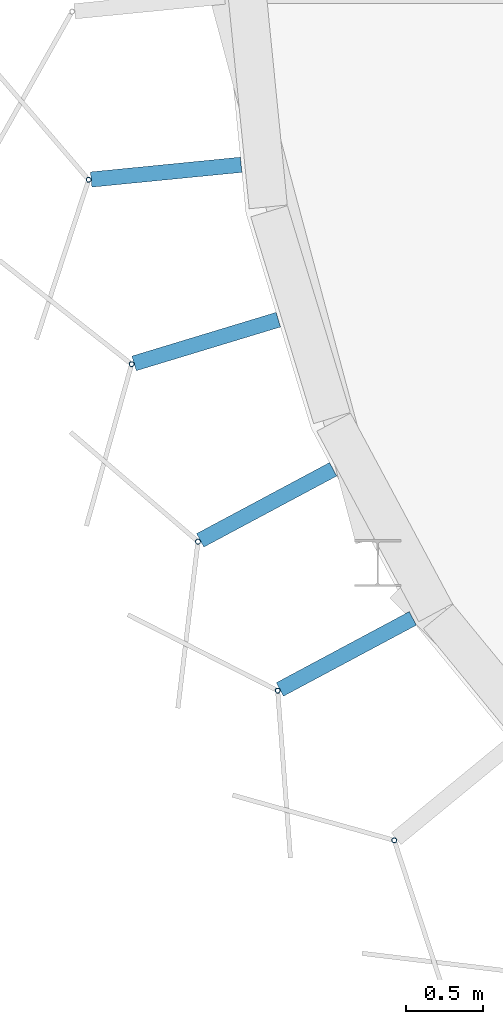
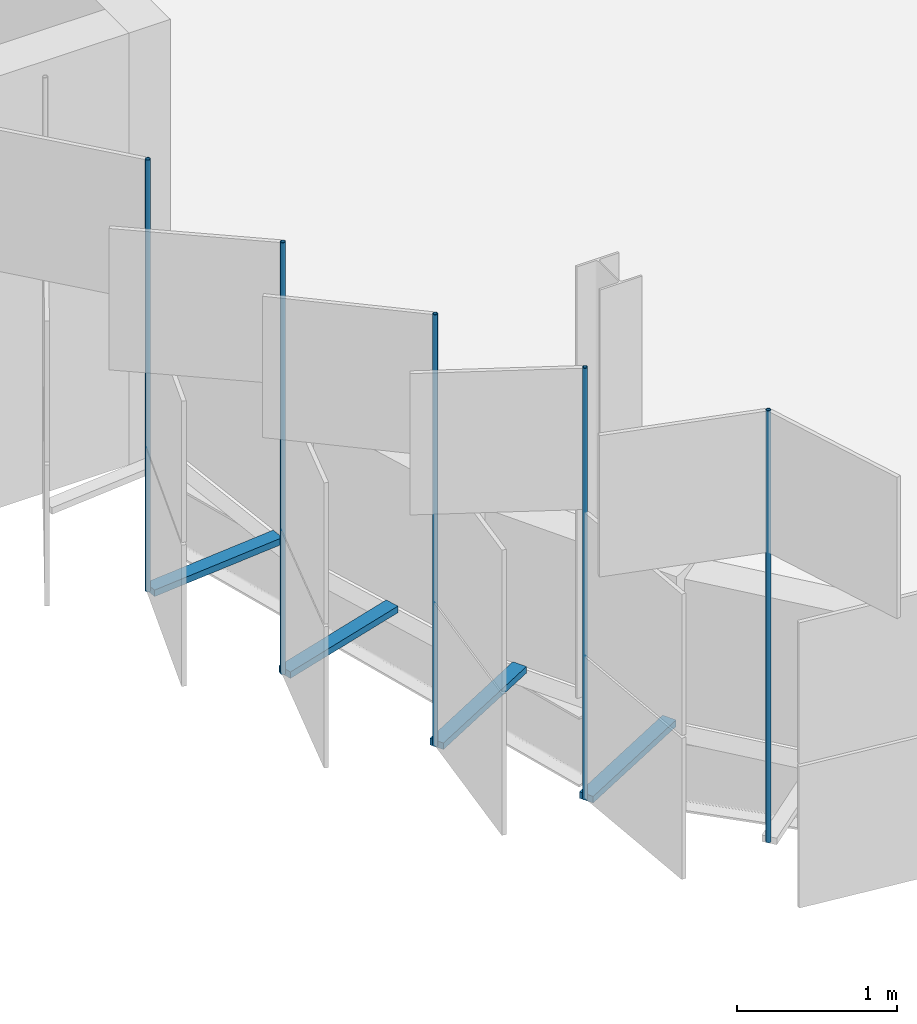
# One storey, part 63 of 198: 9 discrete accessories.
"""IFC4 building model written with IfcOpenShell, lengths in metres."""

from ifc_helpers import new_model, si_unit, direction, frame, origin, origin_2d, place, context, subcontext, project, spatial, rectangle, hollow_circle, extrude, material, material_profile, profile_set, type_object, element, save


model = new_model("IFC4")

# Units and contexts
model_context = context("Model", 3, precision=1e-05, world=origin(), true_north=direction((0.0, 1.0)))
body_context = subcontext(model_context, "Body", "Model", "MODEL_VIEW")
ifc_project = project(units=[si_unit("LENGTHUNIT", "METRE"), si_unit("AREAUNIT", "SQUARE_METRE"), si_unit("VOLUMEUNIT", "CUBIC_METRE"), si_unit("PLANEANGLEUNIT", "RADIAN"), si_unit("MASSUNIT", "GRAM", prefix="KILO")], contexts=[model_context])

# Site, building, storey
site_placement = place(None, origin())
site = spatial("IfcSite", under=ifc_project, at=site_placement, CompositionType="ELEMENT")
building_placement = place(site_placement, origin())
building = spatial("IfcBuilding", under=site, at=building_placement, Name="Parallax Yard Mobility Hub", CompositionType="ELEMENT")
storey_placement = place(building_placement, frame((0.0, 0.0, 6.60009765625)))
storey = spatial("IfcBuildingStorey", under=building, at=storey_placement, Name="L02", CompositionType="ELEMENT", Elevation=6.60009765625)

# Discrete accessories
ifc_material_1 = material(Name="Steel ASTM A36, hot-dip galvanised", Category="steel")
discrete_accessory_type_1 = type_object("IfcDiscreteAccessoryType", Name="Hinge bracket plate 100x50", PredefinedType="BRACKET", material=ifc_material_1)
for number, where, z_axis, x_axis, name in (
    (1, (22.123779296875, 118.802978515625, -0.02490234375), (0.0, 0.0, 1.0), (-0.995184726672, -0.09801714033, 0.0), "Hinge bracket plate bay 72.2 level L02"),
    (2, (22.38525390625, 117.697021484375, -0.02490234375), (0.0, 0.0, 1.0), (-0.956940335732, -0.290284677254, 0.0), "Hinge bracket plate bay 72.3 level L02"),
    (3, (22.780029296875, 116.631103515625, -0.02490234375), (0.0, 0.0, 1.0), (-0.881921264348, -0.471396736826, 0.0), "Hinge bracket plate bay 72.4 level L02"),
    (4, (23.30029296875, 115.65771484375, -0.02490234375), (0.0, 0.0, 1.0), (-0.881921264348, -0.471396736826, 0.0), "Hinge bracket plate bay 72.5 level L02"),
):
    element("IfcDiscreteAccessory", number, at=place(storey_placement, frame(where, z_axis=z_axis, x_axis=x_axis)), inside=storey, type_object=discrete_accessory_type_1, Name=name, PredefinedType="BRACKET", context=body_context, shape_type="SweptSolid", body=[
        extrude(rectangle(XDim=0.984130859375, YDim=0.10009765625, at=origin_2d()), origin(), (0.0, 0.0, 1.0), 0.050048828125),
    ])
ifc_material_2 = material(Name="Steel ASTM A500 Gr C, hot-dip galvanised", Category="steel")
ifc_material_profile = material_profile(ifc_material_2, hollow_circle(Radius=0.016845703125, WallThickness=0.003173828125, at=origin_2d()), Name="CHS 33.7x3.2")
ifc_profile_set = profile_set([ifc_material_profile], Name="Steel ASTM A500 Gr C, hot-dip galvanised")
discrete_accessory_type_2 = type_object("IfcDiscreteAccessoryType", Name="Hinge post CHS 33.7x3.2", PredefinedType="BRACKET", material=ifc_profile_set)
for number, where, z_axis, x_axis, name in (
    (5, (21.617919921875, 118.75341796875, 0.0), (0.0, 0.0, 1.0), (1.0, 0.0, 0.0), "Hinge post bay 72.2 level L02"),
    (6, (21.898681640625, 117.54931640625, 0.0), (0.0, 0.0, 1.0), (1.0, 0.0, 0.0), "Hinge post bay 72.3 level L02"),
    (7, (22.331787109375, 116.391357421875, 0.0), (0.0, 0.0, 1.0), (1.0, 0.0, 0.0), "Hinge post bay 72.4 level L02"),
    (8, (22.85205078125, 115.418212890625, 0.0), (0.0, 0.0, 1.0), (1.0, 0.0, 0.0), "Hinge post bay 72.5 level L02"),
    (9, (23.613037109375, 114.44091796875, 0.0), (0.0, 0.0, 1.0), (1.0, 0.0, 0.0), "Hinge post bay 72.6 level L02"),
):
    element("IfcDiscreteAccessory", number, at=place(storey_placement, frame(where, z_axis=z_axis, x_axis=x_axis)), inside=storey, type_object=discrete_accessory_type_2, Name=name, PredefinedType="BRACKET", context=body_context, shape_type="SweptSolid", body=[
        extrude(hollow_circle(Radius=0.016845703125, WallThickness=0.003173828125, at=origin_2d()), origin(), (0.0, 0.0, 1.0), 3.2998046875),
    ])

save(model, "model.ifc")
